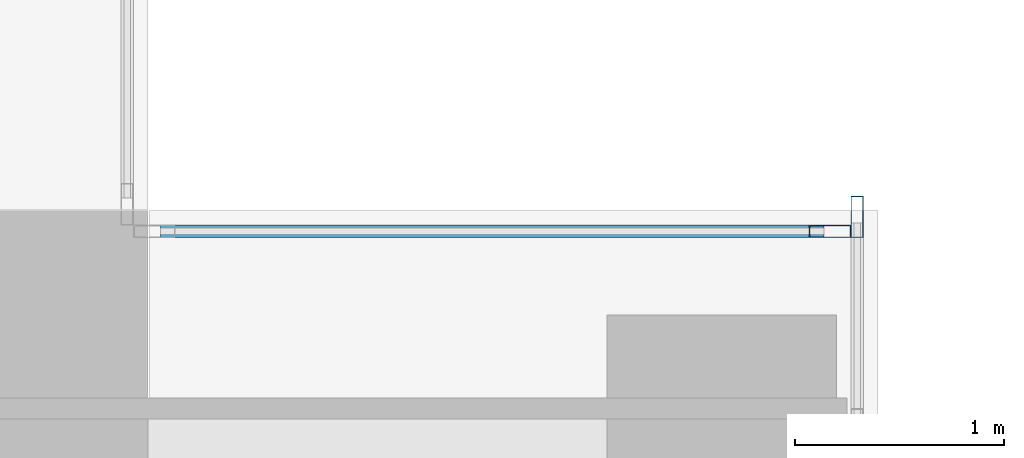
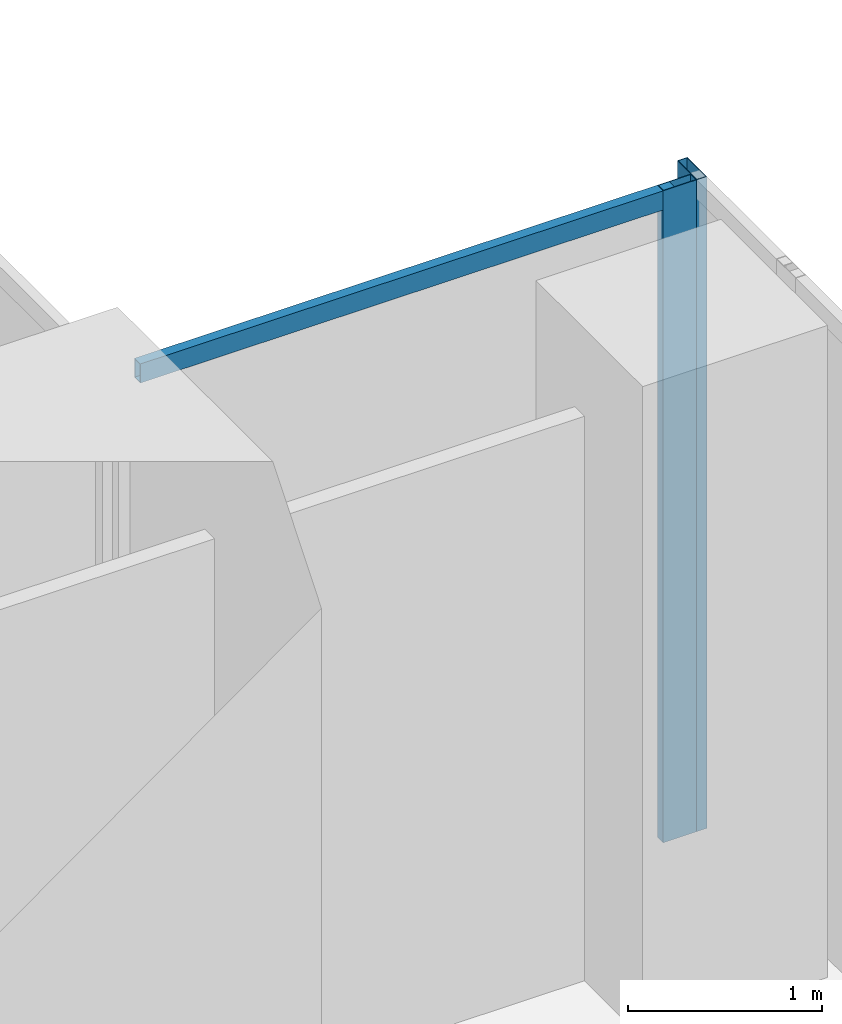
# One storey, part 21 of 34: 3 members, 2 elements without a shape of their own.
"""IFC4 building model written with IfcOpenShell, lengths in metres."""

from ifc_helpers import new_model, si_unit, direction, frame, origin, origin_2d, place, context, subcontext, project, spatial, hollow_rectangle, extrude, source, transform, mapped, material, material_profile, profile_set, type_object, element, aggregate, save


model = new_model("IFC4")

# Units and contexts
model_context = context("Model", 3, precision=1e-05, world=origin(), true_north=direction((0.0, 1.0)))
body_context = subcontext(model_context, "Body", "Model", "MODEL_VIEW")
ifc_project = project(units=[si_unit("LENGTHUNIT", "METRE"), si_unit("AREAUNIT", "SQUARE_METRE"), si_unit("VOLUMEUNIT", "CUBIC_METRE"), si_unit("PLANEANGLEUNIT", "RADIAN"), si_unit("MASSUNIT", "GRAM", prefix="KILO")], contexts=[model_context])

# Site, building, storey
site_placement = place(None, origin())
site = spatial("IfcSite", under=ifc_project, at=site_placement, CompositionType="ELEMENT")
building_placement = place(site_placement, origin())
building = spatial("IfcBuilding", under=site, at=building_placement, Name="Khomas Fold Tower", CompositionType="ELEMENT")
storey_placement = place(building_placement, frame((0.0, 0.0, 123.5)))
storey = spatial("IfcBuildingStorey", under=building, at=storey_placement, Name="L26", CompositionType="ELEMENT", Elevation=123.5)

# Curtain wall, member
ifc_material_1 = material(Name="Aluminium framed double glazing", Category="aluminium")
curtain_wall_type = type_object("IfcCurtainWallType", Name="SK-Unitised clear-glass wall, growing floors CW1", PredefinedType="NOTDEFINED", material=ifc_material_1)
curtain_wall_1_placement = place(storey_placement, origin())
curtain_wall_1 = element("IfcCurtainWall", 1, at=curtain_wall_1_placement, inside=storey, type_object=curtain_wall_type, Name="CW1 run L26 03-0", PredefinedType="NOTDEFINED")
ifc_material_2 = material(Name="Aluminium", Category="aluminium")
ifc_material_profile_1 = material_profile(ifc_material_2, hollow_rectangle(XDim=0.06005859375, YDim=0.199951171875, WallThickness=0.00390625, at=origin_2d()), Name="SK-Unitised clear-glass wall, growing floors mullion CW1-M")
ifc_profile_set_1 = profile_set([ifc_material_profile_1], Name="Aluminium")
member_type_1 = type_object("IfcMemberType", Name="SK-Unitised clear-glass wall, growing floors mullion CW1-M", PredefinedType="MULLION", material=ifc_profile_set_1)
shared_shape_1 = source(origin(), body_context, "Body", "SweptSolid", [
    extrude(hollow_rectangle(XDim=0.06005859375, YDim=0.199951171875, WallThickness=0.00390625, at=origin_2d()), origin(), (0.0, 0.0, 1.0), 4.10009765625),
])
member_1_placement = place(storey_placement, frame((52.39990234375, 48.969970703125, 0.0), z_axis=(0.0, 0.0, 1.0), x_axis=(-1.0, 0.0, 0.0)))
member_1 = element("IfcMember", 2, at=member_1_placement, type_object=member_type_1, Name="CW1 mullion 9", PredefinedType="MULLION", context=body_context, shape_type="MappedRepresentation", body=[
    mapped(shared_shape_1, transform((0.0, 0.0, 0.0))),
])
aggregate(curtain_wall_1, [member_1])

# Curtain wall, members
curtain_wall_2_placement = place(storey_placement, origin())
curtain_wall_2 = element("IfcCurtainWall", 3, at=curtain_wall_2_placement, inside=storey, type_object=curtain_wall_type, Name="CW1 corner return L26 04", PredefinedType="NOTDEFINED")
member_2_placement = place(storey_placement, frame((52.27001953125, 48.89990234375, 0.0), z_axis=(0.0, 0.0, 1.0), x_axis=(0.0, -1.0, 0.0)))
member_2 = element("IfcMember", 4, at=member_2_placement, type_object=member_type_1, Name="CW1 mullion 1", PredefinedType="MULLION", context=body_context, shape_type="MappedRepresentation", body=[
    mapped(shared_shape_1, transform((0.0, 0.0, 0.0))),
])
ifc_material_3 = material(Name="Aluminium", Category="aluminium")
ifc_material_profile_2 = material_profile(ifc_material_3, hollow_rectangle(XDim=0.06005859375, YDim=0.1201171875, WallThickness=0.00390625, at=origin_2d()), Name="SK-Unitised clear-glass wall, growing floors transom CW1-T")
ifc_profile_set_2 = profile_set([ifc_material_profile_2], Name="Aluminium")
member_type_2 = type_object("IfcMemberType", Name="SK-Unitised clear-glass wall, growing floors transom CW1-T", PredefinedType="USERDEFINED", material=ifc_profile_set_2)
shared_shape_2 = source(origin(), body_context, "Body", "SweptSolid", [
    extrude(hollow_rectangle(XDim=0.06005859375, YDim=0.1201171875, WallThickness=0.00390625, at=origin_2d()), origin(), (0.0, 0.0, 1.0), 3.179931640625),
])
member_3_placement = place(storey_placement, frame((52.239990234375, 48.89990234375, 4.0400390625), z_axis=(-1.0, 0.0, 0.0), x_axis=(0.0, -1.0, 0.0)))
member_3 = element("IfcMember", 5, at=member_3_placement, type_object=member_type_2, Name="CW1 transom 1", ObjectType="TRANSOM", PredefinedType="USERDEFINED", context=body_context, shape_type="MappedRepresentation", body=[
    mapped(shared_shape_2, transform((0.0, 0.0, 0.0))),
])
aggregate(curtain_wall_2, [member_2, member_3])

save(model, "model.ifc")
